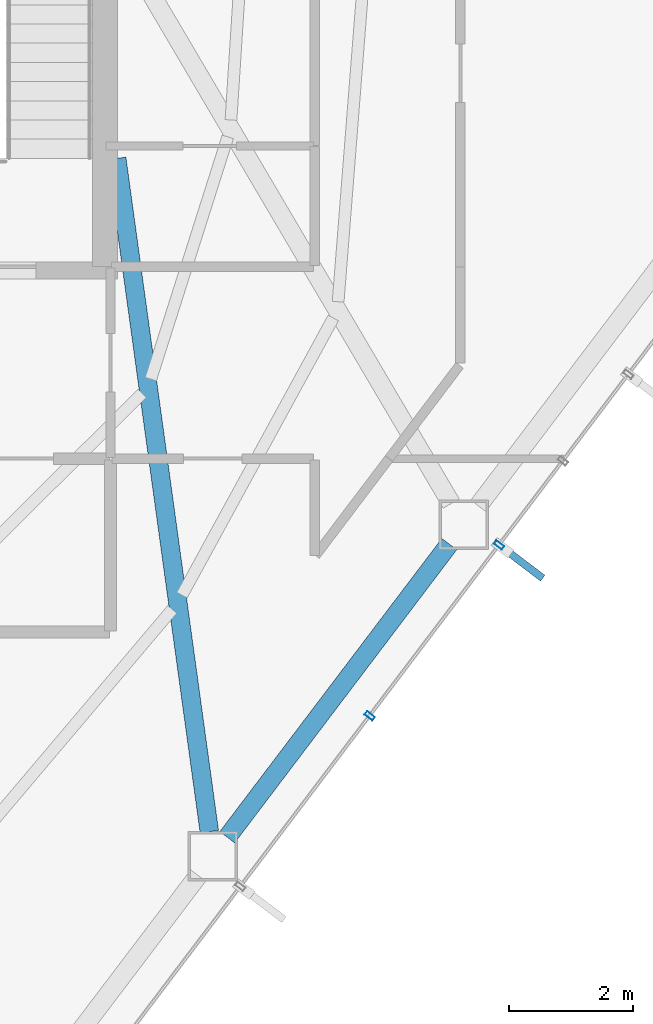
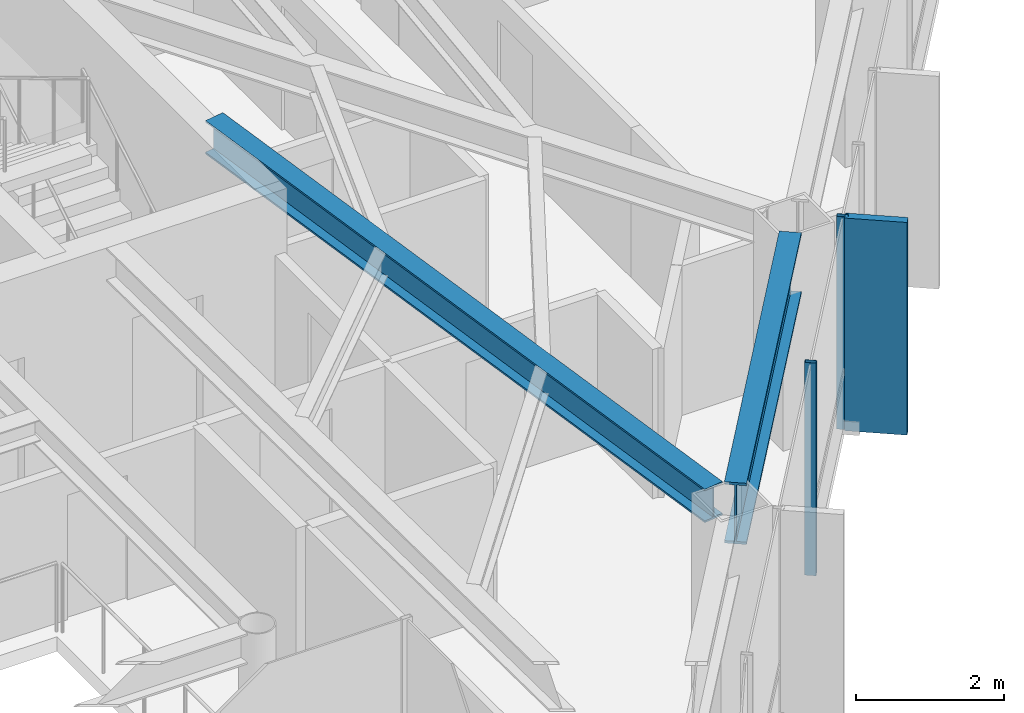
# One storey, part 17 of 28: 3 members, 2 beams, 1 element without a shape of its own.
"""IFC4 building model written with IfcOpenShell, lengths in metres."""

from ifc_helpers import new_model, si_unit, direction, frame, origin, origin_2d, place, context, subcontext, project, spatial, rectangle, hollow_rectangle, i_section, extrude, material, layer, layer_set, material_profile, profile_set, type_object, element, aggregate, save


model = new_model("IFC4")

# Units and contexts
model_context = context("Model", 3, precision=1e-05, world=origin(), true_north=direction((0.0, 1.0)))
body_context = subcontext(model_context, "Body", "Model", "MODEL_VIEW")
ifc_project = project(units=[si_unit("LENGTHUNIT", "METRE"), si_unit("AREAUNIT", "SQUARE_METRE"), si_unit("VOLUMEUNIT", "CUBIC_METRE"), si_unit("PLANEANGLEUNIT", "RADIAN"), si_unit("MASSUNIT", "GRAM", prefix="KILO")], contexts=[model_context])

# Site, building, storey
site_placement = place(None, origin())
site = spatial("IfcSite", under=ifc_project, at=site_placement, CompositionType="ELEMENT")
building_placement = place(site_placement, origin())
building = spatial("IfcBuilding", under=site, at=building_placement, Name="Zarrinselat Tower", CompositionType="ELEMENT")
storey_placement = place(building_placement, frame((0.0, 0.0, 157.080078125)))
storey = spatial("IfcBuildingStorey", under=building, at=storey_placement, Name="L38", CompositionType="ELEMENT", Elevation=157.080078125)

# Beams
ifc_material_1 = material(Name="Steel S355J2", Category="steel")
ifc_material_profile_1 = material_profile(ifc_material_1, i_section(OverallWidth=0.300048828125, OverallDepth=0.550048828125, WebThickness=0.014892578125, FlangeThickness=0.029052734375, at=origin_2d()), Name="HEB 550")
ifc_profile_set_1 = profile_set([ifc_material_profile_1], Name="Steel S355J2")
beam_type_1 = type_object("IfcBeamType", Name="BM-HEB550", PredefinedType="BEAM", material=ifc_profile_set_1)
beam_1_placement = place(storey_placement, frame((48.449951171875, 35.0, 3.224853515625), z_axis=(0.136307012182, -0.990666643443, 0.0), x_axis=(0.990666643443, 0.136307012182, 0.0)))
element("IfcBeam", 1, at=beam_1_placement, inside=storey, type_object=beam_type_1, Name="L38 Radial Primary Girder RG12", PredefinedType="BEAM", context=body_context, shape_type="SweptSolid", body=[
    extrude(i_section(OverallWidth=0.300048828125, OverallDepth=0.550048828125, WebThickness=0.014892578125, FlangeThickness=0.029052734375, at=origin_2d()), origin(), (0.0, 0.0, 1.0), 10.977783203125),
])
ifc_material_2 = material(Name="Steel S460M", Category="steel")
ifc_material_profile_2 = material_profile(ifc_material_2, i_section(OverallWidth=0.302001953125, OverallDepth=1.008056640625, WebThickness=0.02099609375, FlangeThickness=0.0400390625, at=origin_2d()), Name="HEM 1000")
ifc_profile_set_2 = profile_set([ifc_material_profile_2], Name="Steel S460M")
beam_type_2 = type_object("IfcBeamType", Name="BM-HEM1000", PredefinedType="BEAM", material=ifc_profile_set_2)
beam_2_placement = place(storey_placement, frame((50.2353515625, 24.035888671875, 2.995849609375), z_axis=(0.603860062149, 0.797090349547, 0.0), x_axis=(-0.797090349547, 0.603860062149, 0.0)))
element("IfcBeam", 2, at=beam_2_placement, inside=storey, type_object=beam_type_2, Name="L38 Perimeter Spandrel Girder SP12", PredefinedType="BEAM", context=body_context, shape_type="SweptSolid", body=[
    extrude(i_section(OverallWidth=0.302001953125, OverallDepth=1.008056640625, WebThickness=0.02099609375, FlangeThickness=0.0400390625, at=origin_2d()), origin(), (0.0, 0.0, 1.0), 5.939453125),
])

# Curtain wall, members
ifc_material_3 = material(Name="Extruded Aluminium Alloy EN AW-6063 T6", Category="aluminium")
ifc_layer = layer(ifc_material_3, 0.175048828125)
ifc_layer_set = layer_set([ifc_layer], Name="Extruded Aluminium Alloy EN AW-6063 T6")
curtain_wall_type = type_object("IfcCurtainWallType", Name="CWS-HTL", PredefinedType="NOTDEFINED", material=ifc_layer_set)
curtain_wall_placement = place(storey_placement, origin())
curtain_wall = element("IfcCurtainWall", 3, at=curtain_wall_placement, inside=storey, type_object=curtain_wall_type, Name="L38 Unitised Curtain Wall CW-L38-E05", PredefinedType="NOTDEFINED")
ifc_material_4 = material(Name="Extruded Aluminium Alloy EN AW-6063 T6", Category="aluminium")
ifc_material_profile_3 = material_profile(ifc_material_4, hollow_rectangle(XDim=0.070068359375, YDim=0.159912109375, WallThickness=0.00390625, at=origin_2d()), Name="RHS 160x70x4")
ifc_profile_set_3 = profile_set([ifc_material_profile_3], Name="Extruded Aluminium Alloy EN AW-6063 T6")
member_type_1 = type_object("IfcMemberType", Name="MEM-CW-MUL2", PredefinedType="MULLION", material=ifc_profile_set_3)
member_1_placement = place(storey_placement, frame((54.625732421875, 28.754638671875, 0.0), z_axis=(0.0, 0.0, 1.0), x_axis=(-0.603858522722, -0.797091515785, 0.0)))
member_1 = element("IfcMember", 4, at=member_1_placement, type_object=member_type_1, Name="CW-L38-E05 Mullion 5", PredefinedType="MULLION", context=body_context, shape_type="SweptSolid", body=[
    extrude(hollow_rectangle(XDim=0.070068359375, YDim=0.159912109375, WallThickness=0.00390625, at=origin_2d()), origin(), (0.0, 0.0, 1.0), 3.5),
])
member_2_placement = place(storey_placement, frame((52.536376953125, 25.996826171875, 0.0), z_axis=(0.0, 0.0, 1.0), x_axis=(-0.603858522722, -0.797091515785, 0.0)))
member_2 = element("IfcMember", 5, at=member_2_placement, type_object=member_type_1, Name="CW-L38-E05 Mullion 6", PredefinedType="MULLION", context=body_context, shape_type="SweptSolid", body=[
    extrude(hollow_rectangle(XDim=0.070068359375, YDim=0.159912109375, WallThickness=0.00390625, at=origin_2d()), origin(), (0.0, 0.0, 1.0), 3.5),
])
ifc_material_5 = material(Name="Honed Cream Travertine Stone", Category="masonry")
ifc_material_profile_4 = material_profile(ifc_material_5, rectangle(XDim=0.1201171875, YDim=0.85009765625, at=origin_2d()), Name="FIN 850x120")
ifc_profile_set_4 = profile_set([ifc_material_profile_4], Name="Honed Cream Travertine Stone")
member_type_2 = type_object("IfcMemberType", Name="MEM-STONE-FIN", PredefinedType="USERDEFINED", material=ifc_profile_set_4)
member_3_placement = place(storey_placement, frame((54.992431640625, 28.476806640625, 0.0), z_axis=(0.0, 0.0, 1.0), x_axis=(-0.603858522722, -0.797091515785, 0.0)))
member_3 = element("IfcMember", 6, at=member_3_placement, type_object=member_type_2, Name="L38 Stone Shading Fin CW-L38-E05-05", ObjectType="FIN", PredefinedType="USERDEFINED", context=body_context, shape_type="SweptSolid", body=[
    extrude(rectangle(XDim=0.1201171875, YDim=0.85009765625, at=origin_2d()), origin(), (0.0, 0.0, 1.0), 3.5),
])
aggregate(curtain_wall, [member_1, member_3, member_2])

save(model, "model.ifc")
